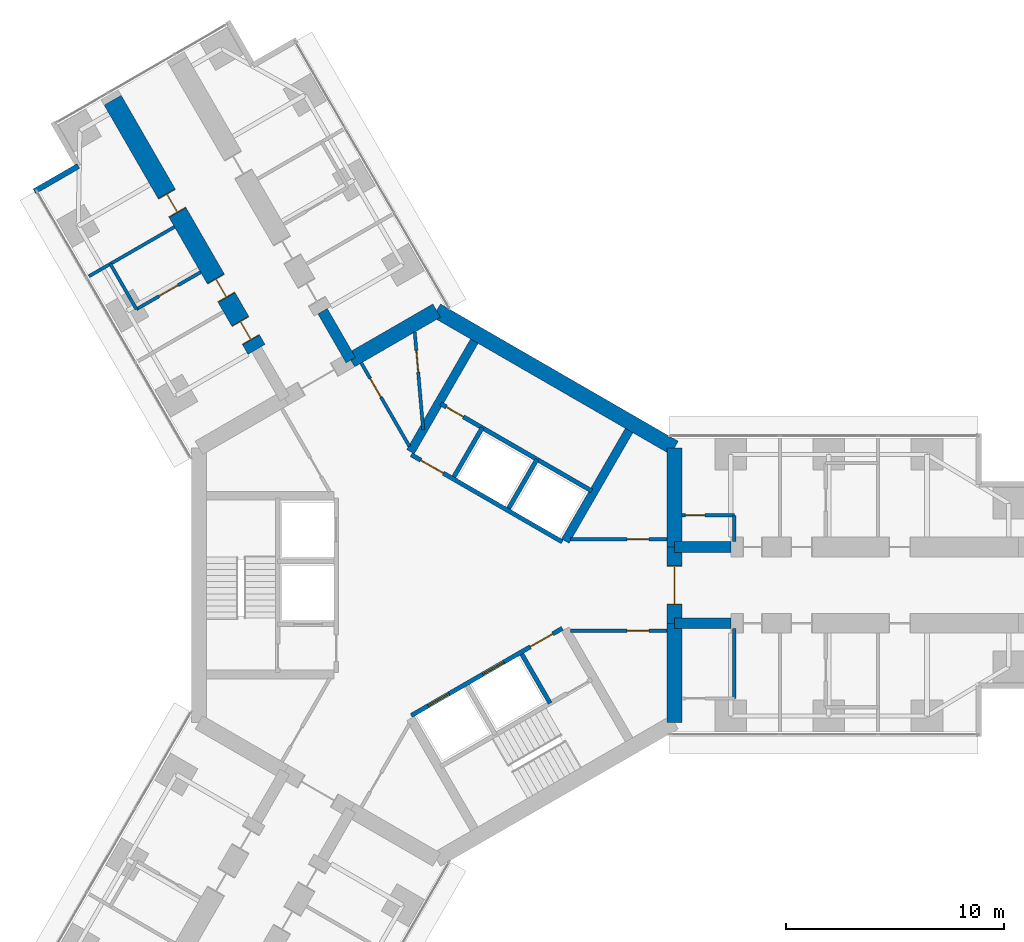
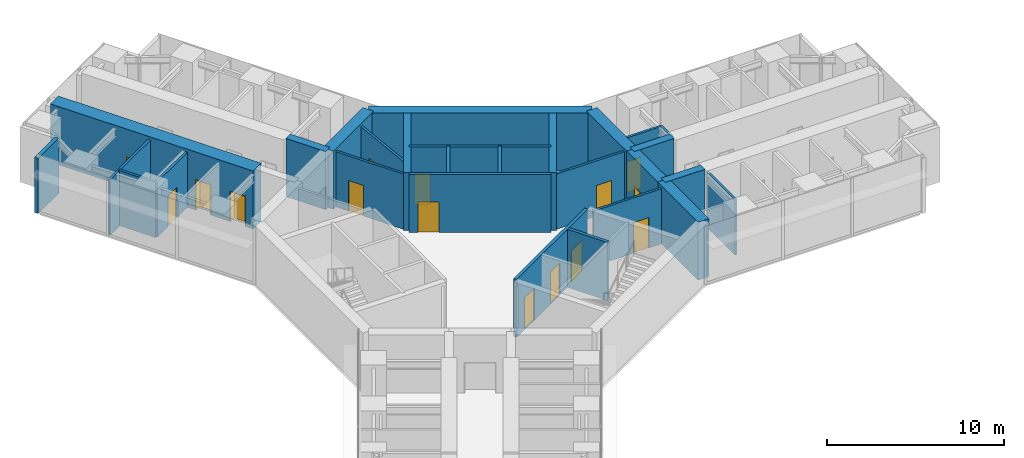
# One storey, part 18 of 24: 28 walls, 15 doors, 15 openings.
"""IFC4 building model written with IfcOpenShell, lengths in metres."""

from ifc_helpers import new_model, si_unit, direction, frame, frame_2d, origin, place, context, subcontext, project, spatial, rectangle, extrude, material, layer, layer_set, type_object, element, fill, save


model = new_model("IFC4")

# Units and contexts
model_context = context("Model", 3, precision=1e-05, world=origin(), true_north=direction((0.0, 1.0)))
body_context = subcontext(model_context, "Body", "Model", "MODEL_VIEW")
ifc_project = project(units=[si_unit("LENGTHUNIT", "METRE"), si_unit("AREAUNIT", "SQUARE_METRE"), si_unit("VOLUMEUNIT", "CUBIC_METRE"), si_unit("PLANEANGLEUNIT", "RADIAN"), si_unit("MASSUNIT", "GRAM", prefix="KILO")], contexts=[model_context])

# Site, building, storey
site_placement = place(None, origin())
site = spatial("IfcSite", under=ifc_project, at=site_placement, CompositionType="ELEMENT")
building_placement = place(site_placement, origin())
building = spatial("IfcBuilding", under=site, at=building_placement, Name="Upepo Twin Towers", CompositionType="ELEMENT")
storey_placement = place(building_placement, frame((0.0, 0.0, 60.5)))
storey = spatial("IfcBuildingStorey", under=building, at=storey_placement, Name="L14", CompositionType="ELEMENT", Elevation=60.5)

# Walls
ifc_material_1 = material(Name="Concrete C60/75", Category="concrete")
ifc_layer_1 = layer(ifc_material_1, 0.5)
ifc_layer_set_1 = layer_set([ifc_layer_1], Name="Concrete C60/75")
wall_type_1 = type_object("IfcWallType", Name="Buttress wall 500 RC", PredefinedType="SHEAR", material=ifc_layer_set_1)
for number, where, z_axis, x_axis, name in (
    (1, (10.908447265625, 1.75, 0.0), (0.0, 0.0, 1.0), (1.0, 0.0, 0.0), "T1 wing A buttress wall L"),
    (2, (10.908447265625, -1.75, 0.0), (0.0, 0.0, 1.0), (1.0, 0.0, 0.0), "T1 wing A buttress wall R"),
):
    element("IfcWall", number, at=place(storey_placement, frame(where, z_axis=z_axis, x_axis=x_axis)), inside=storey, type_object=wall_type_1, Name=name, PredefinedType="SHEAR", context=body_context, shape_type="SweptSolid", body=[
        extrude(rectangle(XDim=2.591552734375, YDim=0.5, at=frame_2d((1.2958984375, 0.0))), origin(), (0.0, 0.0, 1.0), 4.0),
    ])
wall_1_placement = place(storey_placement, frame((-3.938720703125, 10.32177734375, 0.0), z_axis=(0.0, 0.0, 1.0), x_axis=(-0.499918158782, 0.866072649678, 0.0)))
element("IfcWall", 3, at=wall_1_placement, inside=storey, type_object=wall_type_1, Name="T1 wing B buttress wall R", PredefinedType="SHEAR", context=body_context, shape_type="SweptSolid", body=[
    extrude(rectangle(XDim=2.591796875, YDim=0.5, at=frame_2d((1.2958984375, 0.0))), origin(), (0.0, 0.0, 1.0), 4.0),
])

# Wall, openings, doors
ifc_material_2 = material(Name="Concrete C60/75", Category="concrete")
ifc_layer_2 = layer(ifc_material_2, 0.89990234375)
ifc_layer_set_2 = layer_set([ifc_layer_2], Name="Concrete C60/75")
wall_type_2 = type_object("IfcWallType", Name="Buttress wall 900 RC", PredefinedType="SHEAR", material=ifc_layer_set_2)
wall_2_placement = place(storey_placement, frame((-8.265625, 10.81640625, 0.0), z_axis=(0.0, 0.0, 1.0), x_axis=(-0.499996231654, 0.866027579429, 0.0)))
wall_2 = element("IfcWall", 4, at=wall_2_placement, inside=storey, type_object=wall_type_2, Name="T1 wing B buttress wall L part 2", PredefinedType="SHEAR", context=body_context, shape_type="SweptSolid", body=[
    extrude(rectangle(XDim=13.19970703125, YDim=0.89990234375, at=frame_2d((6.599853515625, 0.0))), origin(), (0.0, 0.0, 1.0), 4.0),
])
opening_1_placement = place(wall_2_placement, frame((0.5, 0.0, 0.0)))
opening_1 = element("IfcOpeningElement", 5, at=opening_1_placement, cuts=wall_2, Name="Opening D1", PredefinedType="OPENING", context=body_context, shape_type="SweptSolid", body=[
    extrude(rectangle(XDim=1.0, YDim=2.10009765625, at=frame_2d((0.5, 1.050048828125))), frame((0.0, 0.4599609375, 0.0), z_axis=(0.0, -1.0, 0.0), x_axis=(1.0, 0.0, 0.0)), (0.0, 0.0, 1.0), 0.919921875),
])
opening_2_placement = place(wall_2_placement, frame((2.75, 0.0, 0.0)))
opening_2 = element("IfcOpeningElement", 6, at=opening_2_placement, cuts=wall_2, Name="Opening D1", PredefinedType="OPENING", context=body_context, shape_type="SweptSolid", body=[
    extrude(rectangle(XDim=1.0, YDim=2.10009765625, at=frame_2d((0.5, 1.050048828125))), frame((0.0, 0.4599609375, 0.0), z_axis=(0.0, -1.0, 0.0), x_axis=(1.0, 0.0, 0.0)), (0.0, 0.0, 1.0), 0.919921875),
])
opening_3_placement = place(wall_2_placement, frame((7.25, 0.0, 0.0)))
opening_3 = element("IfcOpeningElement", 7, at=opening_3_placement, cuts=wall_2, Name="Opening D1", PredefinedType="OPENING", context=body_context, shape_type="SweptSolid", body=[
    extrude(rectangle(XDim=1.0, YDim=2.10009765625, at=frame_2d((0.5, 1.050048828125))), frame((0.0, 0.4599609375, 0.0), z_axis=(0.0, -1.0, 0.0), x_axis=(1.0, 0.0, 0.0)), (0.0, 0.0, 1.0), 0.919921875),
])
ifc_material_3 = material(Name="Timber doorset", Category="wood")
door_type_1 = type_object("IfcDoorType", Name="Room door 1000 FD30", OperationType="SINGLE_SWING_LEFT", PredefinedType="DOOR", material=ifc_material_3)
door_1_placement = place(opening_1_placement, origin())
door_1 = element("IfcDoor", 8, at=door_1_placement, inside=storey, type_object=door_type_1, Name="T1 L14 seminar room door", OperationType="SINGLE_SWING_LEFT", OverallHeight=2.10009765625, OverallWidth=1.0, PredefinedType="DOOR", context=body_context, shape_type="SweptSolid", body=[
    extrude(rectangle(XDim=0.92, YDim=2.06009765625, at=frame_2d((0.5, 1.030029296875))), frame((0.0, 0.02490234375, 0.0), z_axis=(0.0, -1.0, 0.0), x_axis=(1.0, 0.0, 0.0)), (0.0, 0.0, 1.0), 0.050048828125),
    extrude(rectangle(XDim=0.04, YDim=2.10009765625, at=frame_2d((0.02001953125, 1.050048828125))), frame((0.0, 0.44970703125, 0.0), z_axis=(0.0, -1.0, 0.0), x_axis=(1.0, 0.0, 0.0)), (0.0, 0.0, 1.0), 0.8994140625),
    extrude(rectangle(XDim=0.04, YDim=2.10009765625, at=frame_2d((0.97998046875, 1.050048828125))), frame((0.0, 0.44970703125, 0.0), z_axis=(0.0, -1.0, 0.0), x_axis=(1.0, 0.0, 0.0)), (0.0, 0.0, 1.0), 0.8994140625),
    extrude(rectangle(XDim=0.92, YDim=0.04, at=frame_2d((0.5, 2.080078125))), frame((0.0, 0.44970703125, 0.0), z_axis=(0.0, -1.0, 0.0), x_axis=(1.0, 0.0, 0.0)), (0.0, 0.0, 1.0), 0.8994140625),
])
fill(opening_1, door_1)
door_2_placement = place(opening_2_placement, origin())
door_2 = element("IfcDoor", 9, at=door_2_placement, inside=storey, type_object=door_type_1, Name="T1 L14 staff office door", OperationType="SINGLE_SWING_LEFT", OverallHeight=2.10009765625, OverallWidth=1.0, PredefinedType="DOOR", context=body_context, shape_type="SweptSolid", body=[
    extrude(rectangle(XDim=0.92, YDim=2.06009765625, at=frame_2d((0.5, 1.030029296875))), frame((0.0, 0.02490234375, 0.0), z_axis=(0.0, -1.0, 0.0), x_axis=(1.0, 0.0, 0.0)), (0.0, 0.0, 1.0), 0.050048828125),
    extrude(rectangle(XDim=0.04, YDim=2.10009765625, at=frame_2d((0.02001953125, 1.050048828125))), frame((0.0, 0.44970703125, 0.0), z_axis=(0.0, -1.0, 0.0), x_axis=(1.0, 0.0, 0.0)), (0.0, 0.0, 1.0), 0.8994140625),
    extrude(rectangle(XDim=0.04, YDim=2.10009765625, at=frame_2d((0.97998046875, 1.050048828125))), frame((0.0, 0.44970703125, 0.0), z_axis=(0.0, -1.0, 0.0), x_axis=(1.0, 0.0, 0.0)), (0.0, 0.0, 1.0), 0.8994140625),
    extrude(rectangle(XDim=0.92, YDim=0.04, at=frame_2d((0.5, 2.080078125))), frame((0.0, 0.44970703125, 0.0), z_axis=(0.0, -1.0, 0.0), x_axis=(1.0, 0.0, 0.0)), (0.0, 0.0, 1.0), 0.8994140625),
])
fill(opening_2, door_2)
door_3_placement = place(opening_3_placement, origin())
door_3 = element("IfcDoor", 10, at=door_3_placement, inside=storey, type_object=door_type_1, Name="T1 L14 tutorial room door", OperationType="SINGLE_SWING_RIGHT", OverallHeight=2.10009765625, OverallWidth=1.0, PredefinedType="DOOR", context=body_context, shape_type="SweptSolid", body=[
    extrude(rectangle(XDim=0.92, YDim=2.06009765625, at=frame_2d((0.5, 1.030029296875))), frame((0.0, 0.02490234375, 0.0), z_axis=(0.0, -1.0, 0.0), x_axis=(1.0, 0.0, 0.0)), (0.0, 0.0, 1.0), 0.050048828125),
    extrude(rectangle(XDim=0.04, YDim=2.10009765625, at=frame_2d((0.02001953125, 1.050048828125))), frame((0.0, 0.44970703125, 0.0), z_axis=(0.0, -1.0, 0.0), x_axis=(1.0, 0.0, 0.0)), (0.0, 0.0, 1.0), 0.8994140625),
    extrude(rectangle(XDim=0.04, YDim=2.10009765625, at=frame_2d((0.97998046875, 1.050048828125))), frame((0.0, 0.44970703125, 0.0), z_axis=(0.0, -1.0, 0.0), x_axis=(1.0, 0.0, 0.0)), (0.0, 0.0, 1.0), 0.8994140625),
    extrude(rectangle(XDim=0.92, YDim=0.04, at=frame_2d((0.5, 2.080078125))), frame((0.0, 0.44970703125, 0.0), z_axis=(0.0, -1.0, 0.0), x_axis=(1.0, 0.0, 0.0)), (0.0, 0.0, 1.0), 0.8994140625),
])
fill(opening_3, door_3)

# Wall
ifc_material_4 = material(Name="Concrete C60/75", Category="concrete")
ifc_layer_3 = layer(ifc_material_4, 0.699951171875)
ifc_layer_set_3 = layer_set([ifc_layer_3], Name="Concrete C60/75")
wall_type_3 = type_object("IfcWallType", Name="Core wall 700 RC", PredefinedType="SHEAR", material=ifc_layer_set_3)
wall_3_placement = place(storey_placement, frame((10.908447265625, -6.2978515625, 0.0), z_axis=(0.0, 0.0, 1.0), x_axis=(0.0, 1.0, 0.0)))
element("IfcWall", 11, at=wall_3_placement, inside=storey, type_object=wall_type_3, Name="T1 core wall 000 R", PredefinedType="SHEAR", context=body_context, shape_type="SweptSolid", body=[
    extrude(rectangle(XDim=4.5478515625, YDim=0.699951171875, at=frame_2d((2.27392578125, 0.0))), origin(), (0.0, 0.0, 1.0), 4.0),
])

# Wall, opening, door
wall_4_placement = place(storey_placement, frame((10.908447265625, -1.75, 0.0), z_axis=(0.0, 0.0, 1.0), x_axis=(0.0, 1.0, 0.0)))
wall_4 = element("IfcWall", 12, at=wall_4_placement, inside=storey, type_object=wall_type_3, Name="T1 core wall 000", PredefinedType="SHEAR", context=body_context, shape_type="SweptSolid", body=[
    extrude(rectangle(XDim=3.5, YDim=0.699951171875, at=frame_2d((1.75, 0.0))), origin(), (0.0, 0.0, 1.0), 4.0),
])
opening_4_placement = place(wall_4_placement, frame((0.85009765625, 0.0, 0.0)))
opening_4 = element("IfcOpeningElement", 13, at=opening_4_placement, cuts=wall_4, Name="Opening D2", PredefinedType="OPENING", context=body_context, shape_type="SweptSolid", body=[
    extrude(rectangle(XDim=1.800048828125, YDim=2.10009765625, at=frame_2d((0.89990234375, 1.050048828125))), frame((0.0, 0.35986328125, 0.0), z_axis=(0.0, -1.0, 0.0), x_axis=(1.0, 0.0, 0.0)), (0.0, 0.0, 1.0), 0.719970703125),
])
ifc_material_5 = material(Name="Timber doorset", Category="wood")
door_type_2 = type_object("IfcDoorType", Name="Corridor double door 1800 FD60", OperationType="DOUBLE_DOOR_DOUBLE_SWING", PredefinedType="DOOR", material=ifc_material_5)
door_4_placement = place(opening_4_placement, origin())
door_4 = element("IfcDoor", 14, at=door_4_placement, inside=storey, type_object=door_type_2, Name="T1 L14 wing A corridor door", OperationType="DOUBLE_DOOR_DOUBLE_SWING", OverallHeight=2.10009765625, OverallWidth=1.800048828125, PredefinedType="DOOR", context=body_context, shape_type="SweptSolid", body=[
    extrude(rectangle(XDim=1.720048828125, YDim=2.06009765625, at=frame_2d((0.89990234375, 1.030029296875))), frame((0.0, 0.02490234375, 0.0), z_axis=(0.0, -1.0, 0.0), x_axis=(1.0, 0.0, 0.0)), (0.0, 0.0, 1.0), 0.050048828125),
    extrude(rectangle(XDim=0.04, YDim=2.10009765625, at=frame_2d((0.02001953125, 1.050048828125))), frame((0.0, 0.349609375, 0.0), z_axis=(0.0, -1.0, 0.0), x_axis=(1.0, 0.0, 0.0)), (0.0, 0.0, 1.0), 0.699462890625),
    extrude(rectangle(XDim=0.04, YDim=2.10009765625, at=frame_2d((1.780029296875, 1.050048828125))), frame((0.0, 0.349609375, 0.0), z_axis=(0.0, -1.0, 0.0), x_axis=(1.0, 0.0, 0.0)), (0.0, 0.0, 1.0), 0.699462890625),
    extrude(rectangle(XDim=1.720048828125, YDim=0.04, at=frame_2d((0.89990234375, 2.080078125))), frame((0.0, 0.349609375, 0.0), z_axis=(0.0, -1.0, 0.0), x_axis=(1.0, 0.0, 0.0)), (0.0, 0.0, 1.0), 0.699462890625),
])
fill(opening_4, door_4)

# Walls
wall_5_placement = place(storey_placement, frame((10.908447265625, 1.75, 0.0), z_axis=(0.0, 0.0, 1.0), x_axis=(0.0, 1.0, 0.0)))
element("IfcWall", 15, at=wall_5_placement, inside=storey, type_object=wall_type_3, Name="T1 core wall 000 L", PredefinedType="SHEAR", context=body_context, shape_type="SweptSolid", body=[
    extrude(rectangle(XDim=4.5478515625, YDim=0.699951171875, at=frame_2d((2.27392578125, 0.0))), origin(), (0.0, 0.0, 1.0), 4.0),
])
wall_6_placement = place(storey_placement, frame((10.908447265625, 6.2978515625, 0.0), z_axis=(0.0, 0.0, 1.0), x_axis=(-0.866021940709, 0.500005998175, 0.0)))
element("IfcWall", 16, at=wall_6_placement, inside=storey, type_object=wall_type_3, Name="T1 core wall 060", PredefinedType="SHEAR", context=body_context, shape_type="SweptSolid", body=[
    extrude(rectangle(XDim=12.595947265625, YDim=0.699951171875, at=frame_2d((6.2978515625, 0.0))), origin(), (0.0, 0.0, 1.0), 4.0),
])
wall_7_placement = place(storey_placement, frame((0.0, 12.595947265625, 0.0), z_axis=(0.0, 0.0, 1.0), x_axis=(-0.866011268655, -0.500024481964, 0.0)))
element("IfcWall", 17, at=wall_7_placement, inside=storey, type_object=wall_type_3, Name="T1 core wall 120 R", PredefinedType="SHEAR", context=body_context, shape_type="SweptSolid", body=[
    extrude(rectangle(XDim=4.548095703125, YDim=0.699951171875, at=frame_2d((2.27392578125, 0.0))), origin(), (0.0, 0.0, 1.0), 4.0),
])
ifc_material_6 = material(Name="Blockwork with anodised aluminium cladding", Category="masonry")
ifc_layer_4 = layer(ifc_material_6, 0.25)
ifc_layer_set_4 = layer_set([ifc_layer_4], Name="Notch cladding wall 250, pale metal")
wall_type_4 = type_object("IfcWallType", Name="Notch cladding wall 250, pale metal", PredefinedType="STANDARD", material=ifc_layer_set_4)
wall_8_placement = place(storey_placement, frame((-18.456298828125, 18.0673828125, 0.0), z_axis=(0.0, 0.0, 1.0), x_axis=(0.865998469481, 0.500046648681, 0.0)))
element("IfcWall", 18, at=wall_8_placement, inside=storey, type_object=wall_type_4, Name="T1 L14 wing B notch wall L1", PredefinedType="STANDARD", context=body_context, shape_type="SweptSolid", body=[
    extrude(rectangle(XDim=2.324951171875, YDim=0.25, at=frame_2d((1.16259765625, 0.0))), origin(), (0.0, 0.0, 1.0), 3.800048828125),
])

# Wall, opening, door
ifc_material_7 = material(Name="Concrete C40/50", Category="concrete")
ifc_layer_5 = layer(ifc_material_7, 0.199951171875)
ifc_layer_set_5 = layer_set([ifc_layer_5], Name="Concrete C40/50")
wall_type_5 = type_object("IfcWallType", Name="Shaft wall 200 RC", PredefinedType="SHEAR", material=ifc_layer_set_5)
wall_9_placement = place(storey_placement, frame((5.76416015625, 1.983642578125, 0.0), z_axis=(0.0, 0.0, 1.0), x_axis=(-0.866026010844, 0.49999894854, 0.0)))
wall_9 = element("IfcWall", 19, at=wall_9_placement, inside=storey, type_object=wall_type_5, Name="T1 core W60 front wall", PredefinedType="SHEAR", context=body_context, shape_type="SweptSolid", body=[
    extrude(rectangle(XDim=8.0, YDim=0.199951171875, at=frame_2d((4.0, 0.0))), origin(), (0.0, 0.0, 1.0), 4.0),
])
opening_5_placement = place(wall_9_placement, frame((6.300048828125, 0.0, 0.0)))
opening_5 = element("IfcOpeningElement", 20, at=opening_5_placement, cuts=wall_9, Name="Opening D4", PredefinedType="OPENING", context=body_context, shape_type="SweptSolid", body=[
    extrude(rectangle(XDim=1.199951171875, YDim=2.10009765625, at=frame_2d((0.60009765625, 1.050048828125))), frame((0.0, 0.10986328125, 0.0), z_axis=(0.0, -1.0, 0.0), x_axis=(1.0, 0.0, 0.0)), (0.0, 0.0, 1.0), 0.219970703125),
])
ifc_material_8 = material(Name="Timber doorset", Category="wood")
door_type_3 = type_object("IfcDoorType", Name="Lobby door 1200 FD60", OperationType="SINGLE_SWING_LEFT", PredefinedType="DOOR", material=ifc_material_8)
door_5_placement = place(opening_5_placement, origin())
door_5 = element("IfcDoor", 21, at=door_5_placement, inside=storey, type_object=door_type_3, Name="T1 L14 W60 lobby door", OperationType="SINGLE_SWING_RIGHT", OverallHeight=2.10009765625, OverallWidth=1.199951171875, PredefinedType="DOOR", context=body_context, shape_type="SweptSolid", body=[
    extrude(rectangle(XDim=1.199951171875, YDim=2.10009765625, at=frame_2d((0.60009765625, 1.050048828125))), frame((0.0, 0.02490234375, 0.0), z_axis=(0.0, -1.0, 0.0), x_axis=(1.0, 0.0, 0.0)), (0.0, 0.0, 1.0), 0.050048828125),
])
fill(opening_5, door_5)

# Walls
for number, where, z_axis, x_axis, name in (
    (22, (3.302734375, 3.520263671875, 0.0), (0.0, 0.0, 1.0), (0.499936506574, 0.866062058628, 0.0), "T1 core W60 shaft divider"),
    (23, (0.791259765625, 4.97021484375, 0.0), (0.0, 0.0, 1.0), (0.499936506574, 0.866062058628, 0.0), "T1 core W60 lobby wall"),
):
    element("IfcWall", number, at=place(storey_placement, frame(where, z_axis=z_axis, x_axis=x_axis)), inside=storey, type_object=wall_type_5, Name=name, PredefinedType="SHEAR", context=body_context, shape_type="SweptSolid", body=[
        extrude(rectangle(XDim=2.599853515625, YDim=0.199951171875, at=frame_2d((1.2998046875, 0.0))), origin(), (0.0, 0.0, 1.0), 4.0),
    ])

# Wall, opening, door
wall_10_placement = place(storey_placement, frame((7.114013671875, 4.322021484375, 0.0), z_axis=(0.0, 0.0, 1.0), x_axis=(-0.866026010844, 0.49999894854, 0.0)))
wall_10 = element("IfcWall", 24, at=wall_10_placement, inside=storey, type_object=wall_type_5, Name="T1 core W60 stair wall", PredefinedType="SHEAR", context=body_context, shape_type="SweptSolid", body=[
    extrude(rectangle(XDim=8.0, YDim=0.199951171875, at=frame_2d((4.0, 0.0))), origin(), (0.0, 0.0, 1.0), 4.0),
])
opening_6_placement = place(wall_10_placement, frame((6.800048828125, 0.0, 0.0)))
opening_6 = element("IfcOpeningElement", 25, at=opening_6_placement, cuts=wall_10, Name="Opening D9", PredefinedType="OPENING", context=body_context, shape_type="SweptSolid", body=[
    extrude(rectangle(XDim=0.89990234375, YDim=2.10009765625, at=frame_2d((0.449951171875, 1.050048828125))), frame((0.0, 0.10986328125, 0.0), z_axis=(0.0, -1.0, 0.0), x_axis=(1.0, 0.0, 0.0)), (0.0, 0.0, 1.0), 0.219970703125),
])
ifc_material_9 = material(Name="Timber doorset", Category="wood")
door_type_4 = type_object("IfcDoorType", Name="Riser door 900 FD60", OperationType="SINGLE_SWING_LEFT", PredefinedType="DOOR", material=ifc_material_9)
door_6_placement = place(opening_6_placement, origin())
door_6 = element("IfcDoor", 26, at=door_6_placement, inside=storey, type_object=door_type_4, Name="T1 L14 riser door", OperationType="SINGLE_SWING_RIGHT", OverallHeight=2.10009765625, OverallWidth=0.89990234375, PredefinedType="DOOR", context=body_context, shape_type="SweptSolid", body=[
    extrude(rectangle(XDim=0.89990234375, YDim=2.10009765625, at=frame_2d((0.449951171875, 1.050048828125))), frame((0.0, 0.02490234375, 0.0), z_axis=(0.0, -1.0, 0.0), x_axis=(1.0, 0.0, 0.0)), (0.0, 0.0, 1.0), 0.050048828125),
])
fill(opening_6, door_6)

# Wall, openings, doors
wall_11_placement = place(storey_placement, frame((-1.1640625, -5.983642578125, 0.0), z_axis=(0.0, 0.0, 1.0), x_axis=(0.866026010844, 0.49999894854, 0.0)))
wall_11 = element("IfcWall", 27, at=wall_11_placement, inside=storey, type_object=wall_type_5, Name="T1 core W300 front wall", PredefinedType="SHEAR", context=body_context, shape_type="SweptSolid", body=[
    extrude(rectangle(XDim=8.0, YDim=0.199951171875, at=frame_2d((4.0, 0.0))), origin(), (0.0, 0.0, 1.0), 4.0),
])
opening_7_placement = place(wall_11_placement, frame((6.300048828125, 0.0, 0.0)))
opening_7 = element("IfcOpeningElement", 28, at=opening_7_placement, cuts=wall_11, Name="Opening D4", PredefinedType="OPENING", context=body_context, shape_type="SweptSolid", body=[
    extrude(rectangle(XDim=1.199951171875, YDim=2.10009765625, at=frame_2d((0.60009765625, 1.050048828125))), frame((0.0, 0.10986328125, 0.0), z_axis=(0.0, -1.0, 0.0), x_axis=(1.0, 0.0, 0.0)), (0.0, 0.0, 1.0), 0.219970703125),
])
opening_8_placement = place(wall_11_placement, frame((0.89990234375, 0.0, 0.0)))
opening_8 = element("IfcOpeningElement", 29, at=opening_8_placement, cuts=wall_11, Name="Opening LD1", PredefinedType="OPENING", context=body_context, shape_type="SweptSolid", body=[
    extrude(rectangle(XDim=1.10009765625, YDim=2.199951171875, at=frame_2d((0.550048828125, 1.10009765625))), frame((0.0, 0.10986328125, 0.0), z_axis=(0.0, -1.0, 0.0), x_axis=(1.0, 0.0, 0.0)), (0.0, 0.0, 1.0), 0.219970703125),
])
opening_9_placement = place(wall_11_placement, frame((3.800048828125, 0.0, 0.0)))
opening_9 = element("IfcOpeningElement", 30, at=opening_9_placement, cuts=wall_11, Name="Opening LD1", PredefinedType="OPENING", context=body_context, shape_type="SweptSolid", body=[
    extrude(rectangle(XDim=1.10009765625, YDim=2.199951171875, at=frame_2d((0.550048828125, 1.10009765625))), frame((0.0, 0.10986328125, 0.0), z_axis=(0.0, -1.0, 0.0), x_axis=(1.0, 0.0, 0.0)), (0.0, 0.0, 1.0), 0.219970703125),
])
ifc_material_10 = material(Name="Steel doorset", Category="steel")
door_type_5 = type_object("IfcDoorType", Name="Lift landing door 1100", OperationType="DOUBLE_DOOR_SLIDING", PredefinedType="DOOR", material=ifc_material_10)
door_7_placement = place(opening_8_placement, origin())
door_7 = element("IfcDoor", 31, at=door_7_placement, inside=storey, type_object=door_type_5, Name="T1 L14 lift LL1 landing door", OperationType="DOUBLE_DOOR_SLIDING", OverallHeight=2.199951171875, OverallWidth=1.10009765625, PredefinedType="DOOR", context=body_context, shape_type="SweptSolid", body=[
    extrude(rectangle(XDim=1.10009765625, YDim=2.199951171875, at=frame_2d((0.550048828125, 1.10009765625))), frame((0.0, 0.02490234375, 0.0), z_axis=(0.0, -1.0, 0.0), x_axis=(1.0, 0.0, 0.0)), (0.0, 0.0, 1.0), 0.050048828125),
])
fill(opening_8, door_7)
door_8_placement = place(opening_9_placement, origin())
door_8 = element("IfcDoor", 32, at=door_8_placement, inside=storey, type_object=door_type_5, Name="T1 L14 lift LL2 landing door", OperationType="DOUBLE_DOOR_SLIDING", OverallHeight=2.199951171875, OverallWidth=1.10009765625, PredefinedType="DOOR", context=body_context, shape_type="SweptSolid", body=[
    extrude(rectangle(XDim=1.10009765625, YDim=2.199951171875, at=frame_2d((0.550048828125, 1.10009765625))), frame((0.0, 0.02490234375, 0.0), z_axis=(0.0, -1.0, 0.0), x_axis=(1.0, 0.0, 0.0)), (0.0, 0.0, 1.0), 0.050048828125),
])
fill(opening_9, door_8)
door_9_placement = place(opening_7_placement, origin())
door_9 = element("IfcDoor", 33, at=door_9_placement, inside=storey, type_object=door_type_3, Name="T1 L14 W300 lobby door", OperationType="SINGLE_SWING_RIGHT", OverallHeight=2.10009765625, OverallWidth=1.199951171875, PredefinedType="DOOR", context=body_context, shape_type="SweptSolid", body=[
    extrude(rectangle(XDim=1.199951171875, YDim=2.10009765625, at=frame_2d((0.60009765625, 1.050048828125))), frame((0.0, 0.02490234375, 0.0), z_axis=(0.0, -1.0, 0.0), x_axis=(1.0, 0.0, 0.0)), (0.0, 0.0, 1.0), 0.050048828125),
])
fill(opening_7, door_9)

# Walls
wall_12_placement = place(storey_placement, frame((3.908935546875, -3.17041015625, 0.0), z_axis=(0.0, 0.0, 1.0), x_axis=(0.49997716683, -0.86603858612, 0.0)))
element("IfcWall", 34, at=wall_12_placement, inside=storey, type_object=wall_type_5, Name="T1 core W300 lobby wall", PredefinedType="SHEAR", context=body_context, shape_type="SweptSolid", body=[
    extrude(rectangle(XDim=2.599609375, YDim=0.199951171875, at=frame_2d((1.2998046875, 0.0))), origin(), (0.0, 0.0, 1.0), 4.0),
])
ifc_material_11 = material(Name="Concrete C40/50", Category="concrete")
ifc_layer_6 = layer(ifc_material_11, 0.39990234375)
ifc_layer_set_6 = layer_set([ifc_layer_6], Name="Concrete C40/50")
wall_type_6 = type_object("IfcWallType", Name="Shaft wall 400 RC", PredefinedType="SHEAR", material=ifc_layer_set_6)
for number, where, z_axis, x_axis, name in (
    (35, (-1.20068359375, 6.120361328125, 0.0), (0.0, 0.0, 1.0), (0.500002627198, 0.866023886965, 0.0), "T1 core W60 side wall N"),
    (36, (5.900634765625, 2.020263671875, 0.0), (0.0, 0.0, 1.0), (0.500002627198, 0.866023886965, 0.0), "T1 core W60 side wall S"),
):
    element("IfcWall", number, at=place(storey_placement, frame(where, z_axis=z_axis, x_axis=x_axis)), inside=storey, type_object=wall_type_6, Name=name, PredefinedType="SHEAR", context=body_context, shape_type="SweptSolid", body=[
        extrude(rectangle(XDim=5.8583984375, YDim=0.39990234375, at=frame_2d((2.92919921875, 0.0))), origin(), (0.0, 0.0, 1.0), 4.0),
    ])

# Wall, opening, door
ifc_material_12 = material(Name="Gypsum board on steel studs", Category="steel")
ifc_layer_7 = layer(ifc_material_12, 0.14990234375)
ifc_layer_set_7 = layer_set([ifc_layer_7], Name="Teaching partition 150 acoustic")
wall_type_7 = type_object("IfcWallType", Name="Teaching partition 150 acoustic", PredefinedType="PARTITIONING", material=ifc_layer_set_7)
wall_13_placement = place(storey_placement, frame((11.258056640625, 3.199951171875, 0.0), z_axis=(0.0, 0.0, 1.0), x_axis=(1.0, 0.0, 0.0)))
wall_13 = element("IfcWall", 37, at=wall_13_placement, inside=storey, type_object=wall_type_7, Name="T1 WC bay partition AL at 11.26", PredefinedType="PARTITIONING", context=body_context, shape_type="SweptSolid", body=[
    extrude(rectangle(XDim=2.39990234375, YDim=0.14990234375, at=frame_2d((1.199951171875, 0.0))), origin(), (0.0, 0.0, 1.0), 3.800048828125),
])
opening_10_placement = place(wall_13_placement, frame((0.14990234375, 0.0, 0.0)))
opening_10 = element("IfcOpeningElement", 38, at=opening_10_placement, cuts=wall_13, Name="Opening D14", PredefinedType="OPENING", context=body_context, shape_type="SweptSolid", body=[
    extrude(rectangle(XDim=0.89990234375, YDim=2.10009765625, at=frame_2d((0.449951171875, 1.050048828125))), frame((0.0, 0.0849609375, 0.0), z_axis=(0.0, -1.0, 0.0), x_axis=(1.0, 0.0, 0.0)), (0.0, 0.0, 1.0), 0.169921875),
])
ifc_material_13 = material(Name="Timber doorset", Category="wood")
door_type_6 = type_object("IfcDoorType", Name="Office door 900 FD30", OperationType="SINGLE_SWING_LEFT", PredefinedType="DOOR", material=ifc_material_13)
door_10_placement = place(opening_10_placement, origin())
door_10 = element("IfcDoor", 39, at=door_10_placement, inside=storey, type_object=door_type_6, Name="T1 L14 WC bay inner room door", OperationType="SINGLE_SWING_LEFT", OverallHeight=2.10009765625, OverallWidth=0.89990234375, PredefinedType="DOOR", context=body_context, shape_type="SweptSolid", body=[
    extrude(rectangle(XDim=0.89990234375, YDim=2.10009765625, at=frame_2d((0.449951171875, 1.050048828125))), frame((0.0, 0.02490234375, 0.0), z_axis=(0.0, -1.0, 0.0), x_axis=(1.0, 0.0, 0.0)), (0.0, 0.0, 1.0), 0.050048828125),
])
fill(opening_10, door_10)

# Walls
wall_14_placement = place(storey_placement, frame((13.657958984375, 2.0, 0.0), z_axis=(0.0, 0.0, 1.0), x_axis=(0.0, 1.0, 0.0)))
element("IfcWall", 40, at=wall_14_placement, inside=storey, type_object=wall_type_7, Name="T1 WC bay partition AL end at 13.66", PredefinedType="PARTITIONING", context=body_context, shape_type="SweptSolid", body=[
    extrude(rectangle(XDim=1.199951171875, YDim=0.14990234375, at=frame_2d((0.60009765625, 0.0))), origin(), (0.0, 0.0, 1.0), 3.800048828125),
])
wall_15_placement = place(storey_placement, frame((13.657958984375, -2.0, 0.0), z_axis=(0.0, 0.0, 1.0), x_axis=(0.0, -1.0, 0.0)))
element("IfcWall", 41, at=wall_15_placement, inside=storey, type_object=wall_type_7, Name="T1 WC bay partition AR end at 13.66", PredefinedType="PARTITIONING", context=body_context, shape_type="SweptSolid", body=[
    extrude(rectangle(XDim=3.199951171875, YDim=0.14990234375, at=frame_2d((1.60009765625, 0.0))), origin(), (0.0, 0.0, 1.0), 3.800048828125),
])
wall_16_placement = place(storey_placement, frame((-12.0302734375, 16.43701171875, 0.0), z_axis=(0.0, 0.0, 1.0), x_axis=(-0.866035472144, -0.499982560684, 0.0)))
element("IfcWall", 42, at=wall_16_placement, inside=storey, type_object=wall_type_7, Name="T1 partition BL at 20.25", PredefinedType="PARTITIONING", context=body_context, shape_type="SweptSolid", body=[
    extrude(rectangle(XDim=4.550048828125, YDim=0.14990234375, at=frame_2d((2.27490234375, 0.0))), origin(), (0.0, 0.0, 1.0), 3.800048828125),
])
wall_17_placement = place(storey_placement, frame((-13.774658203125, 12.658447265625, 0.0), z_axis=(0.0, 0.0, 1.0), x_axis=(-0.500033551112, 0.866006032174, 0.0)))
element("IfcWall", 43, at=wall_17_placement, inside=storey, type_object=wall_type_7, Name="T1 inner room partition BL at 17.85", PredefinedType="PARTITIONING", context=body_context, shape_type="SweptSolid", body=[
    extrude(rectangle(XDim=2.400146484375, YDim=0.14990234375, at=frame_2d((1.2001953125, 0.0))), origin(), (0.0, 0.0, 1.0), 3.800048828125),
])

# Wall, opening, door
wall_18_placement = place(storey_placement, frame((-10.830322265625, 14.358642578125, 0.0), z_axis=(0.0, 0.0, 1.0), x_axis=(-0.865989465428, -0.500062241894, 0.0)))
wall_18 = element("IfcWall", 44, at=wall_18_placement, inside=storey, type_object=wall_type_7, Name="T1 inner room partition BL end at 17.85", PredefinedType="PARTITIONING", context=body_context, shape_type="SweptSolid", body=[
    extrude(rectangle(XDim=3.39990234375, YDim=0.14990234375, at=frame_2d((1.699951171875, 0.0))), origin(), (0.0, 0.0, 1.0), 3.800048828125),
])
opening_11_placement = place(wall_18_placement, frame((1.199951171875, 0.0, 0.0)))
opening_11 = element("IfcOpeningElement", 45, at=opening_11_placement, cuts=wall_18, Name="Opening D1", PredefinedType="OPENING", context=body_context, shape_type="SweptSolid", body=[
    extrude(rectangle(XDim=1.0, YDim=2.10009765625, at=frame_2d((0.5, 1.050048828125))), frame((0.0, 0.0849609375, 0.0), z_axis=(0.0, -1.0, 0.0), x_axis=(1.0, 0.0, 0.0)), (0.0, 0.0, 1.0), 0.169921875),
])
door_11_placement = place(opening_11_placement, origin())
door_11 = element("IfcDoor", 46, at=door_11_placement, inside=storey, type_object=door_type_1, Name="T1 L14 inner room door", OperationType="SINGLE_SWING_LEFT", OverallHeight=2.10009765625, OverallWidth=1.0, PredefinedType="DOOR", context=body_context, shape_type="SweptSolid", body=[
    extrude(rectangle(XDim=1.0, YDim=2.10009765625, at=frame_2d((0.5, 1.050048828125))), frame((0.0, 0.02490234375, 0.0), z_axis=(0.0, -1.0, 0.0), x_axis=(1.0, 0.0, 0.0)), (0.0, 0.0, 1.0), 0.050048828125),
])
fill(opening_11, door_11)

wall_19_placement = place(storey_placement, frame((-3.465576171875, 10.202392578125, 0.0), z_axis=(0.0, 0.0, 1.0), x_axis=(0.500007369519, -0.866021148949, 0.0)))
wall_19 = element("IfcWall", 47, at=wall_19_placement, inside=storey, type_object=wall_type_7, Name="T1 core room partition 4", PredefinedType="PARTITIONING", context=body_context, shape_type="SweptSolid", body=[
    extrude(rectangle(XDim=4.42578125, YDim=0.14990234375, at=frame_2d((2.212890625, 0.0))), origin(), (0.0, 0.0, 1.0), 3.800048828125),
])
opening_12_placement = place(wall_19_placement, frame((0.82763671875, 0.0, 0.0)))
opening_12 = element("IfcOpeningElement", 48, at=opening_12_placement, cuts=wall_19, Name="Opening D1", PredefinedType="OPENING", context=body_context, shape_type="SweptSolid", body=[
    extrude(rectangle(XDim=1.0, YDim=2.10009765625, at=frame_2d((0.5, 1.050048828125))), frame((0.0, 0.0849609375, 0.0), z_axis=(0.0, -1.0, 0.0), x_axis=(1.0, 0.0, 0.0)), (0.0, 0.0, 1.0), 0.169921875),
])
door_12_placement = place(opening_12_placement, origin())
door_12 = element("IfcDoor", 49, at=door_12_placement, inside=storey, type_object=door_type_1, Name="T1 L14 core room door K5", OperationType="SINGLE_SWING_LEFT", OverallHeight=2.10009765625, OverallWidth=1.0, PredefinedType="DOOR", context=body_context, shape_type="SweptSolid", body=[
    extrude(rectangle(XDim=1.0, YDim=2.10009765625, at=frame_2d((0.5, 1.050048828125))), frame((0.0, 0.02490234375, 0.0), z_axis=(0.0, -1.0, 0.0), x_axis=(1.0, 0.0, 0.0)), (0.0, 0.0, 1.0), 0.050048828125),
])
fill(opening_12, door_12)

wall_20_placement = place(storey_placement, frame((6.142578125, 2.10009765625, 0.0), z_axis=(0.0, 0.0, 1.0), x_axis=(1.0, 0.0, 0.0)))
wall_20 = element("IfcWall", 50, at=wall_20_placement, inside=storey, type_object=wall_type_7, Name="T1 core room partition 5", PredefinedType="PARTITIONING", context=body_context, shape_type="SweptSolid", body=[
    extrude(rectangle(XDim=4.42578125, YDim=0.14990234375, at=frame_2d((2.212890625, 0.0))), origin(), (0.0, 0.0, 1.0), 3.800048828125),
])
opening_13_placement = place(wall_20_placement, frame((2.597900390625, 0.0, 0.0)))
opening_13 = element("IfcOpeningElement", 51, at=opening_13_placement, cuts=wall_20, Name="Opening D1", PredefinedType="OPENING", context=body_context, shape_type="SweptSolid", body=[
    extrude(rectangle(XDim=1.0, YDim=2.10009765625, at=frame_2d((0.5, 1.050048828125))), frame((0.0, 0.0849609375, 0.0), z_axis=(0.0, -1.0, 0.0), x_axis=(1.0, 0.0, 0.0)), (0.0, 0.0, 1.0), 0.169921875),
])
door_13_placement = place(opening_13_placement, origin())
door_13 = element("IfcDoor", 52, at=door_13_placement, inside=storey, type_object=door_type_1, Name="T1 L14 core room door K4", OperationType="SINGLE_SWING_RIGHT", OverallHeight=2.10009765625, OverallWidth=1.0, PredefinedType="DOOR", context=body_context, shape_type="SweptSolid", body=[
    extrude(rectangle(XDim=1.0, YDim=2.10009765625, at=frame_2d((0.5, 1.050048828125))), frame((0.0, 0.02490234375, 0.0), z_axis=(0.0, -1.0, 0.0), x_axis=(1.0, 0.0, 0.0)), (0.0, 0.0, 1.0), 0.050048828125),
])
fill(opening_13, door_13)

wall_21_placement = place(storey_placement, frame((10.568359375, -2.10009765625, 0.0), z_axis=(0.0, 0.0, 1.0), x_axis=(-1.0, 0.0, 0.0)))
wall_21 = element("IfcWall", 53, at=wall_21_placement, inside=storey, type_object=wall_type_7, Name="T1 core room partition 6", PredefinedType="PARTITIONING", context=body_context, shape_type="SweptSolid", body=[
    extrude(rectangle(XDim=4.42578125, YDim=0.14990234375, at=frame_2d((2.212890625, 0.0))), origin(), (0.0, 0.0, 1.0), 3.800048828125),
])
opening_14_placement = place(wall_21_placement, frame((0.82763671875, 0.0, 0.0)))
opening_14 = element("IfcOpeningElement", 54, at=opening_14_placement, cuts=wall_21, Name="Opening D1", PredefinedType="OPENING", context=body_context, shape_type="SweptSolid", body=[
    extrude(rectangle(XDim=1.0, YDim=2.10009765625, at=frame_2d((0.5, 1.050048828125))), frame((0.0, 0.0849609375, 0.0), z_axis=(0.0, -1.0, 0.0), x_axis=(1.0, 0.0, 0.0)), (0.0, 0.0, 1.0), 0.169921875),
])
door_14_placement = place(opening_14_placement, origin())
door_14 = element("IfcDoor", 55, at=door_14_placement, inside=storey, type_object=door_type_1, Name="T1 L14 core room door K3", OperationType="SINGLE_SWING_LEFT", OverallHeight=2.10009765625, OverallWidth=1.0, PredefinedType="DOOR", context=body_context, shape_type="SweptSolid", body=[
    extrude(rectangle(XDim=1.0, YDim=2.10009765625, at=frame_2d((0.5, 1.050048828125))), frame((0.0, 0.02490234375, 0.0), z_axis=(0.0, -1.0, 0.0), x_axis=(1.0, 0.0, 0.0)), (0.0, 0.0, 1.0), 0.050048828125),
])
fill(opening_14, door_14)

wall_22_placement = place(storey_placement, frame((-0.617919921875, 7.12939453125, 0.0), z_axis=(0.0, 0.0, 1.0), x_axis=(-0.086409450071, 0.996259708579, 0.0)))
wall_22 = element("IfcWall", 56, at=wall_22_placement, inside=storey, type_object=wall_type_7, Name="T1 core room partition 7", PredefinedType="PARTITIONING", context=body_context, shape_type="SweptSolid", body=[
    extrude(rectangle(XDim=4.498046875, YDim=0.14990234375, at=frame_2d((2.2490234375, 0.0))), origin(), (0.0, 0.0, 1.0), 3.800048828125),
])
opening_15_placement = place(wall_22_placement, frame((2.6484375, 0.0, 0.0)))
opening_15 = element("IfcOpeningElement", 57, at=opening_15_placement, cuts=wall_22, Name="Opening D1", PredefinedType="OPENING", context=body_context, shape_type="SweptSolid", body=[
    extrude(rectangle(XDim=1.0, YDim=2.10009765625, at=frame_2d((0.5, 1.050048828125))), frame((0.0, 0.0849609375, 0.0), z_axis=(0.0, -1.0, 0.0), x_axis=(1.0, 0.0, 0.0)), (0.0, 0.0, 1.0), 0.169921875),
])
door_15_placement = place(opening_15_placement, origin())
door_15 = element("IfcDoor", 58, at=door_15_placement, inside=storey, type_object=door_type_1, Name="T1 L14 core room door K6", OperationType="SINGLE_SWING_RIGHT", OverallHeight=2.10009765625, OverallWidth=1.0, PredefinedType="DOOR", context=body_context, shape_type="SweptSolid", body=[
    extrude(rectangle(XDim=1.0, YDim=2.10009765625, at=frame_2d((0.5, 1.050048828125))), frame((0.0, 0.02490234375, 0.0), z_axis=(0.0, -1.0, 0.0), x_axis=(1.0, 0.0, 0.0)), (0.0, 0.0, 1.0), 0.050048828125),
])
fill(opening_15, door_15)

save(model, "model.ifc")
